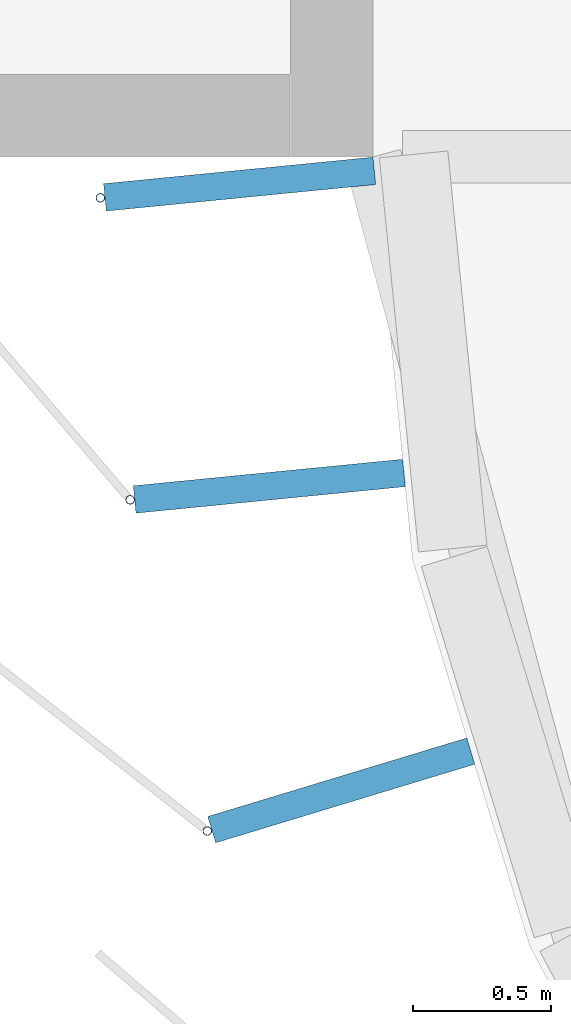
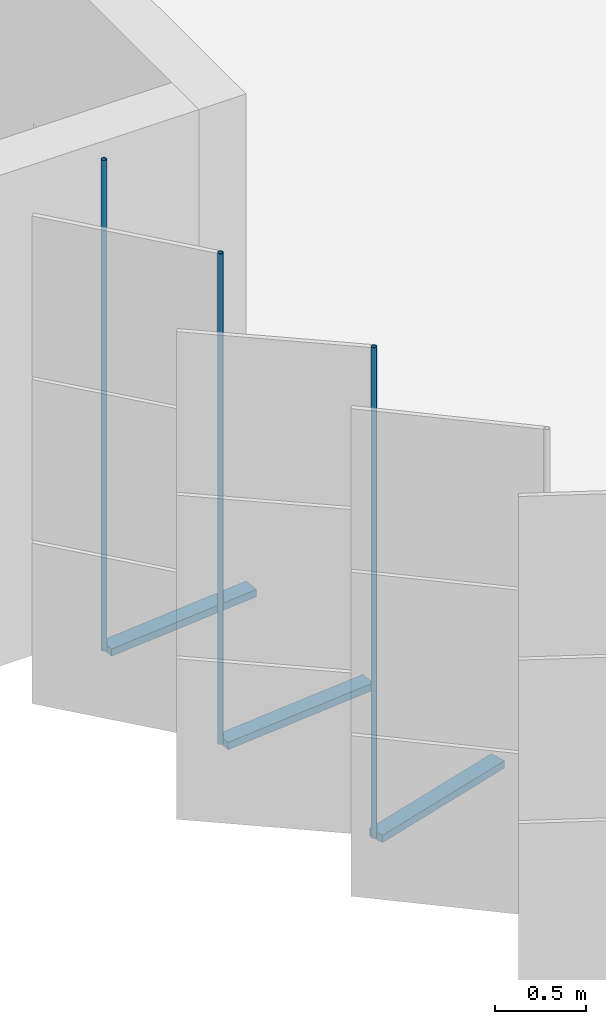
# One storey, part 73 of 199: 6 discrete accessories.
"""IFC4 building model written with IfcOpenShell, lengths in metres."""

from ifc_helpers import new_model, si_unit, direction, frame, origin, origin_2d, place, context, subcontext, project, spatial, rectangle, hollow_circle, extrude, material, material_profile, profile_set, type_object, element, save


model = new_model("IFC4")

# Units and contexts
model_context = context("Model", 3, precision=1e-05, world=origin(), true_north=direction((0.0, 1.0)))
body_context = subcontext(model_context, "Body", "Model", "MODEL_VIEW")
ifc_project = project(units=[si_unit("LENGTHUNIT", "METRE"), si_unit("AREAUNIT", "SQUARE_METRE"), si_unit("VOLUMEUNIT", "CUBIC_METRE"), si_unit("PLANEANGLEUNIT", "RADIAN"), si_unit("MASSUNIT", "GRAM", prefix="KILO")], contexts=[model_context])

# Site, building, storey
site_placement = place(None, origin())
site = spatial("IfcSite", under=ifc_project, at=site_placement, CompositionType="ELEMENT")
building_placement = place(site_placement, origin())
building = spatial("IfcBuilding", under=site, at=building_placement, Name="Parallax Yard Mobility Hub", CompositionType="ELEMENT")
storey_placement = place(building_placement, frame((0.0, 0.0, 9.89990234375)))
storey = spatial("IfcBuildingStorey", under=building, at=storey_placement, Name="L03", CompositionType="ELEMENT", Elevation=9.89990234375)

# Discrete accessories
ifc_material_1 = material(Name="Steel ASTM A36, hot-dip galvanised", Category="steel")
discrete_accessory_type_1 = type_object("IfcDiscreteAccessoryType", Name="Hinge bracket plate 100x50", PredefinedType="BRACKET", material=ifc_material_1)
for number, where, z_axis, x_axis, name in (
    (1, (22.015869140625, 119.9013671875, -0.02490234375), (0.0, 0.0, 1.0), (-0.995184726672, -0.09801714033, 0.0), "Hinge bracket plate bay 72.1 level L03"),
    (2, (22.123779296875, 118.802978515625, -0.02490234375), (0.0, 0.0, 1.0), (-0.995184726672, -0.09801714033, 0.0), "Hinge bracket plate bay 72.2 level L03"),
    (3, (22.38525390625, 117.697021484375, -0.02490234375), (0.0, 0.0, 1.0), (-0.956940335732, -0.290284677254, 0.0), "Hinge bracket plate bay 72.3 level L03"),
):
    element("IfcDiscreteAccessory", number, at=place(storey_placement, frame(where, z_axis=z_axis, x_axis=x_axis)), inside=storey, type_object=discrete_accessory_type_1, Name=name, PredefinedType="BRACKET", context=body_context, shape_type="SweptSolid", body=[
        extrude(rectangle(XDim=0.984130859375, YDim=0.10009765625, at=origin_2d()), origin(), (0.0, 0.0, 1.0), 0.050048828125),
    ])
ifc_material_2 = material(Name="Steel ASTM A500 Gr C, hot-dip galvanised", Category="steel")
ifc_material_profile = material_profile(ifc_material_2, hollow_circle(Radius=0.016845703125, WallThickness=0.003173828125, at=origin_2d()), Name="CHS 33.7x3.2")
ifc_profile_set = profile_set([ifc_material_profile], Name="Steel ASTM A500 Gr C, hot-dip galvanised")
discrete_accessory_type_2 = type_object("IfcDiscreteAccessoryType", Name="Hinge post CHS 33.7x3.2", PredefinedType="BRACKET", material=ifc_profile_set)
for number, where, z_axis, x_axis, name in (
    (4, (21.509765625, 119.8515625, 0.0), (0.0, 0.0, 1.0), (1.0, 0.0, 0.0), "Hinge post bay 72.1 level L03"),
    (5, (21.617919921875, 118.75341796875, 0.0), (0.0, 0.0, 1.0), (1.0, 0.0, 0.0), "Hinge post bay 72.2 level L03"),
    (6, (21.898681640625, 117.54931640625, 0.0), (0.0, 0.0, 1.0), (1.0, 0.0, 0.0), "Hinge post bay 72.3 level L03"),
):
    element("IfcDiscreteAccessory", number, at=place(storey_placement, frame(where, z_axis=z_axis, x_axis=x_axis)), inside=storey, type_object=discrete_accessory_type_2, Name=name, PredefinedType="BRACKET", context=body_context, shape_type="SweptSolid", body=[
        extrude(hollow_circle(Radius=0.016845703125, WallThickness=0.003173828125, at=origin_2d()), origin(), (0.0, 0.0, 1.0), 3.300048828125),
    ])

save(model, "model.ifc")
